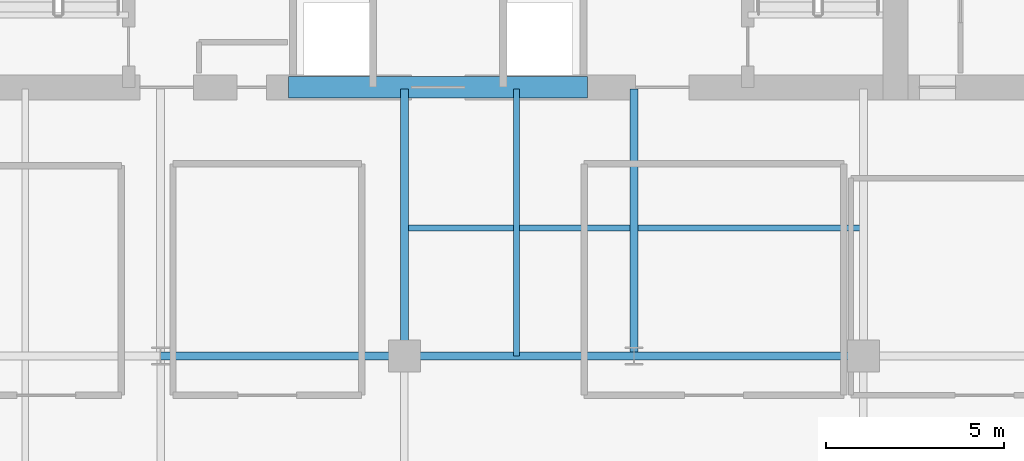
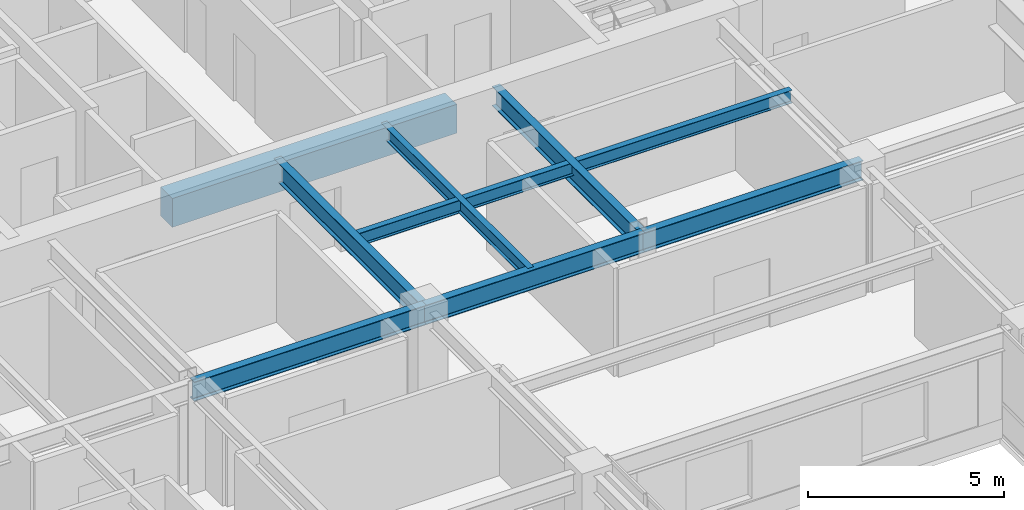
# One storey, part 6 of 25: 8 beams.
"""IFC4 building model written with IfcOpenShell, lengths in metres."""

from ifc_helpers import new_model, si_unit, direction, frame, origin, origin_2d, place, context, subcontext, project, spatial, rectangle, i_section, extrude, source, transform, mapped, material, material_profile, profile_set, type_object, type_shapes, element, save


model = new_model("IFC4")

# Units and contexts
model_context = context("Model", 3, precision=1e-05, world=origin(), true_north=direction((0.0, 1.0)))
body_context = subcontext(model_context, "Body", "Model", "MODEL_VIEW")
ifc_project = project(units=[si_unit("LENGTHUNIT", "METRE"), si_unit("AREAUNIT", "SQUARE_METRE"), si_unit("VOLUMEUNIT", "CUBIC_METRE"), si_unit("PLANEANGLEUNIT", "RADIAN"), si_unit("MASSUNIT", "GRAM", prefix="KILO")], contexts=[model_context])

# Site, building, storey
site_placement = place(None, origin())
site = spatial("IfcSite", under=ifc_project, at=site_placement, CompositionType="ELEMENT")
building_placement = place(site_placement, origin())
building = spatial("IfcBuilding", under=site, at=building_placement, Name="Tolvann Quenvar Hotel", CompositionType="ELEMENT")
storey_placement = place(building_placement, frame((0.0, 0.0, 111.550048828125)))
storey = spatial("IfcBuildingStorey", under=building, at=storey_placement, Name="L28", CompositionType="ELEMENT", Elevation=111.550048828125)

# Beams
ifc_material_1 = material(Name="Concrete N50 (50 MPa)", Category="concrete")
ifc_material_profile_1 = material_profile(ifc_material_1, rectangle(XDim=0.60009765625, YDim=0.89990234375, at=origin_2d()), Name="RC600x900")
ifc_profile_set_1 = profile_set([ifc_material_profile_1], Name="Concrete N50 (50 MPa)")
beam_type_1 = type_object("IfcBeamType", Name="BM_LINT_RC600x900", PredefinedType="LINTEL", material=ifc_profile_set_1)
shared_shape_1 = source(origin(), body_context, "Body", "SweptSolid", [
    extrude(rectangle(XDim=0.60009765625, YDim=0.89990234375, at=origin_2d()), origin(), (0.0, 0.0, 1.0), 8.39990234375),
])
type_shapes(beam_type_1, [shared_shape_1])
beam_1_placement = place(storey_placement, frame((18.800048828125, 31.949951171875, 2.919921875), z_axis=(1.0, 0.0, 0.0), x_axis=(0.0, 1.0, 0.0)))
element("IfcBeam", 1, at=beam_1_placement, inside=storey, type_object=beam_type_1, Name="Core Coupling Lintel Beam (L28)", PredefinedType="LINTEL", context=body_context, shape_type="MappedRepresentation", body=[
    mapped(shared_shape_1, transform((0.0, 0.0, 0.0), x_axis=(1.0, 0.0, 0.0), y_axis=(0.0, 1.0, 0.0), z_axis=(0.0, 0.0, 1.0), scale=1.0)),
])
ifc_material_2 = material(Name="Steel Grade 350", Category="steel")
ifc_material_profile_2 = material_profile(ifc_material_2, i_section(OverallWidth=0.22900390625, OverallDepth=0.612060546875, WebThickness=0.011962890625, FlangeThickness=0.01953125, FilletRadius=0.013916015625, at=origin_2d()), Name="610UB125")
ifc_profile_set_2 = profile_set([ifc_material_profile_2], Name="Steel Grade 350")
beam_type_2 = type_object("IfcBeamType", Name="BM_GIRD_610UB125", PredefinedType="BEAM", material=ifc_profile_set_2)
shared_shape_2 = source(origin(), body_context, "Body", "SweptSolid", [
    extrude(i_section(OverallWidth=0.22900390625, OverallDepth=0.612060546875, WebThickness=0.011962890625, FlangeThickness=0.01953125, FilletRadius=0.013916015625, at=origin_2d()), origin(), (0.0, 0.0, 1.0), 6.85009765625),
])
beam_2_placement = place(storey_placement, frame((15.199951171875, 24.39990234375, 3.06396484375), z_axis=(1.0, 0.0, 0.0), x_axis=(0.0, 1.0, 0.0)))
element("IfcBeam", 2, at=beam_2_placement, inside=storey, type_object=beam_type_2, Name="BM-L28-EW-5-D5-E5", PredefinedType="BEAM", context=body_context, shape_type="MappedRepresentation", body=[
    mapped(shared_shape_2, transform((0.0, 0.0, 0.0), x_axis=(1.0, 0.0, 0.0), y_axis=(0.0, 1.0, 0.0), z_axis=(0.0, 0.0, 1.0), scale=1.0)),
])
shared_shape_3 = source(origin(), body_context, "Body", "SweptSolid", [
    extrude(i_section(OverallWidth=0.22900390625, OverallDepth=0.612060546875, WebThickness=0.011962890625, FlangeThickness=0.01953125, FilletRadius=0.013916015625, at=origin_2d()), origin(), (0.0, 0.0, 1.0), 6.449951171875),
])
for number, where, z_axis, x_axis, name in (
    (3, (22.050048828125, 24.39990234375, 3.06396484375), (1.0, 0.0, 0.0), (0.0, 1.0, 0.0), "BM-L28-EW-5-E5-M5"),
    (4, (28.5, 24.39990234375, 3.06396484375), (1.0, 0.0, 0.0), (0.0, 1.0, 0.0), "BM-L28-EW-5-M5-F5"),
):
    element("IfcBeam", number, at=place(storey_placement, frame(where, z_axis=z_axis, x_axis=x_axis)), inside=storey, type_object=beam_type_2, Name=name, PredefinedType="BEAM", context=body_context, shape_type="MappedRepresentation", body=[
        mapped(shared_shape_3, transform((0.0, 0.0, 0.0), x_axis=(1.0, 0.0, 0.0), y_axis=(0.0, 1.0, 0.0), z_axis=(0.0, 0.0, 1.0), scale=1.0)),
    ])
shared_shape_4 = source(origin(), body_context, "Body", "SweptSolid", [
    extrude(i_section(OverallWidth=0.22900390625, OverallDepth=0.612060546875, WebThickness=0.011962890625, FlangeThickness=0.01953125, FilletRadius=0.013916015625, at=origin_2d()), origin(), (0.0, 0.0, 1.0), 7.5),
])
type_shapes(beam_type_2, [shared_shape_2, shared_shape_3, shared_shape_4])
for number, where, z_axis, x_axis, name in (
    (5, (22.050048828125, 24.39990234375, 3.06396484375), (0.0, 1.0, 0.0), (-1.0, 0.0, 0.0), "BM-L28-CORE-E5"),
    (6, (28.5, 24.39990234375, 3.06396484375), (0.0, 1.0, 0.0), (-1.0, 0.0, 0.0), "BM-L28-CORE-M5"),
):
    element("IfcBeam", number, at=place(storey_placement, frame(where, z_axis=z_axis, x_axis=x_axis)), inside=storey, type_object=beam_type_2, Name=name, PredefinedType="BEAM", context=body_context, shape_type="MappedRepresentation", body=[
        mapped(shared_shape_4, transform((0.0, 0.0, 0.0), x_axis=(1.0, 0.0, 0.0), y_axis=(0.0, 1.0, 0.0), z_axis=(0.0, 0.0, 1.0), scale=1.0)),
    ])
ifc_material_profile_3 = material_profile(ifc_material_2, i_section(OverallWidth=0.177978515625, OverallDepth=0.406005859375, WebThickness=0.0078125, FlangeThickness=0.0126953125, FilletRadius=0.011474609375, at=origin_2d()), Name="410UB60")
ifc_profile_set_3 = profile_set([ifc_material_profile_3], Name="Steel Grade 350")
beam_type_3 = type_object("IfcBeamType", Name="BM_JOIST_410UB60", PredefinedType="JOIST", material=ifc_profile_set_3)
shared_shape_5 = source(origin(), body_context, "Body", "SweptSolid", [
    extrude(i_section(OverallWidth=0.177978515625, OverallDepth=0.406005859375, WebThickness=0.0078125, FlangeThickness=0.0126953125, FilletRadius=0.011474609375, at=origin_2d()), origin(), (0.0, 0.0, 1.0), 12.89990234375),
])
beam_3_placement = place(storey_placement, frame((22.050048828125, 28.0, 3.1669921875), z_axis=(1.0, 0.0, 0.0), x_axis=(0.0, 1.0, 0.0)))
element("IfcBeam", 7, at=beam_3_placement, inside=storey, type_object=beam_type_3, Name="BM-L28-SPINE-28", PredefinedType="JOIST", context=body_context, shape_type="MappedRepresentation", body=[
    mapped(shared_shape_5, transform((0.0, 0.0, 0.0), x_axis=(1.0, 0.0, 0.0), y_axis=(0.0, 1.0, 0.0), z_axis=(0.0, 0.0, 1.0), scale=1.0)),
])
shared_shape_6 = source(origin(), body_context, "Body", "SweptSolid", [
    extrude(i_section(OverallWidth=0.177978515625, OverallDepth=0.406005859375, WebThickness=0.0078125, FlangeThickness=0.0126953125, FilletRadius=0.011474609375, at=origin_2d()), origin(), (0.0, 0.0, 1.0), 7.5),
])
type_shapes(beam_type_3, [shared_shape_5, shared_shape_6])
beam_4_placement = place(storey_placement, frame((25.199951171875, 24.39990234375, 3.1669921875), z_axis=(0.0, 1.0, 0.0), x_axis=(-1.0, 0.0, 0.0)))
element("IfcBeam", 8, at=beam_4_placement, inside=storey, type_object=beam_type_3, Name="BJ-L28-252-244", PredefinedType="JOIST", context=body_context, shape_type="MappedRepresentation", body=[
    mapped(shared_shape_6, transform((0.0, 0.0, 0.0), x_axis=(1.0, 0.0, 0.0), y_axis=(0.0, 1.0, 0.0), z_axis=(0.0, 0.0, 1.0), scale=1.0)),
])

save(model, "model.ifc")
